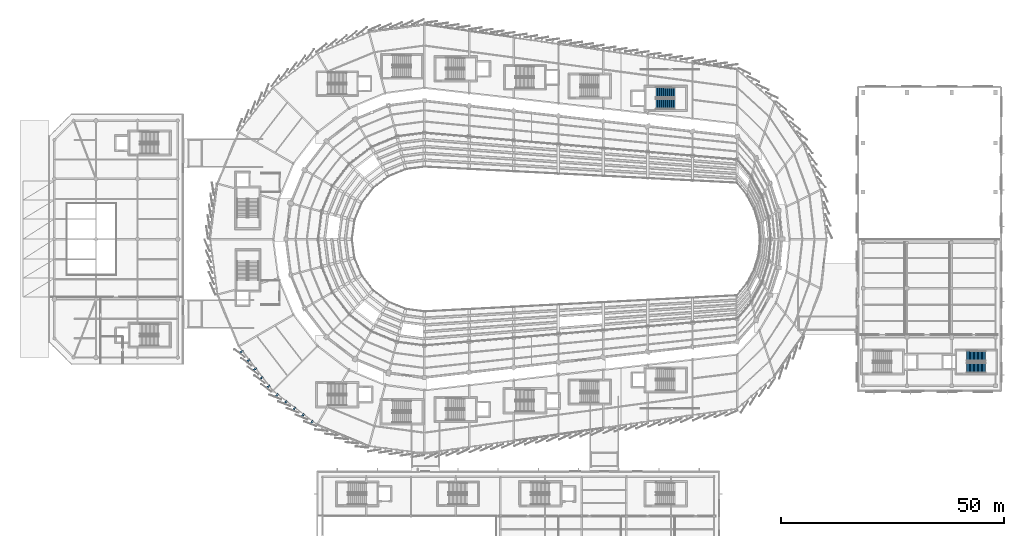
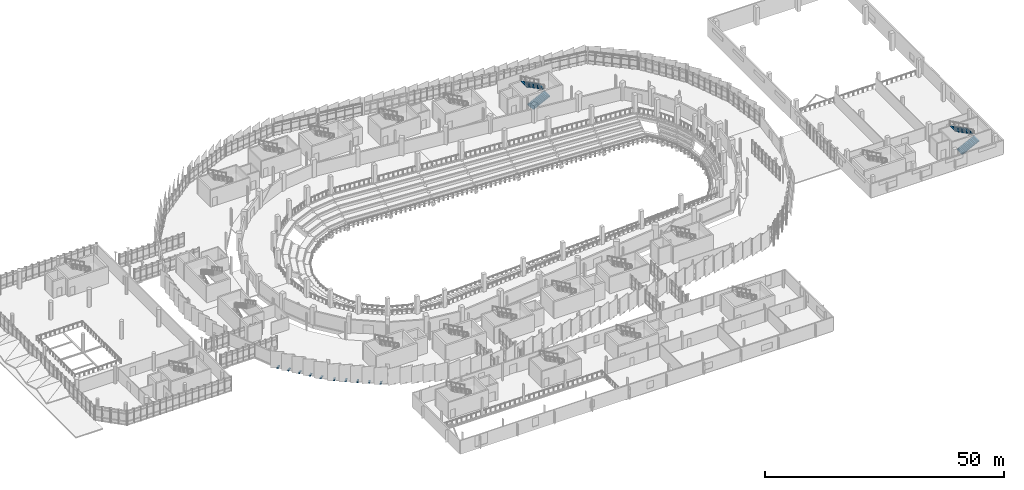
# One storey, part 119 of 134: 10 discrete accessories, 4 stair flights, 2 elements without a shape of their own.
"""IFC4 building model written with IfcOpenShell, lengths in metres."""

from ifc_helpers import new_model, si_unit, direction, frame, origin, origin_2d, place, context, subcontext, project, spatial, polyline, rectangle, outline, extrude, material, type_object, element, aggregate, save


model = new_model("IFC4")

# Units and contexts
model_context = context("Model", 3, precision=1e-05, world=origin(), true_north=direction((0.0, 1.0)))
body_context = subcontext(model_context, "Body", "Model", "MODEL_VIEW")
ifc_project = project(units=[si_unit("LENGTHUNIT", "METRE"), si_unit("AREAUNIT", "SQUARE_METRE"), si_unit("VOLUMEUNIT", "CUBIC_METRE"), si_unit("PLANEANGLEUNIT", "RADIAN"), si_unit("MASSUNIT", "GRAM", prefix="KILO")], contexts=[model_context])

# Site, building, storey
site_placement = place(None, origin())
site = spatial("IfcSite", under=ifc_project, at=site_placement, CompositionType="ELEMENT")
building_placement = place(site_placement, origin())
building = spatial("IfcBuilding", under=site, at=building_placement, Name="Sohan Crest Arena", CompositionType="ELEMENT")
storey_placement = place(building_placement, frame((0.0, 0.0, 4.5)))
storey = spatial("IfcBuildingStorey", under=building, at=storey_placement, Name="L01", CompositionType="ELEMENT", Elevation=4.5)

# Stair, stair flights
ifc_material_1 = material(Name="Concrete C40/50", Category="concrete")
stair_type_1 = type_object("IfcStairType", Name="ST-450W", PredefinedType="TWO_STRAIGHT_RUN_STAIR", material=ifc_material_1)
stair_1_placement = place(storey_placement, origin())
stair_1 = element("IfcStair", 1, at=stair_1_placement, inside=storey, type_object=stair_type_1, Name="Protected exit stair ST16-L01", PredefinedType="TWO_STRAIGHT_RUN_STAIR")
stair_flight_type_1 = type_object("IfcStairFlightType", Name="FL-220-15", PredefinedType="STRAIGHT", material=ifc_material_1)
stair_flight_1_placement = place(storey_placement, frame((219.35009765625, 49.14990234375, 0.0), z_axis=(0.0, 0.0, 1.0), x_axis=(1.0, 0.0, 0.0)))
stair_flight_1 = element("IfcStairFlight", 2, at=stair_flight_1_placement, type_object=stair_flight_type_1, Name="ST16-L01 flight 1", NumberOfRisers=15, NumberOfTreads=14, PredefinedType="STRAIGHT", RiserHeight=0.15, TreadLength=0.3, context=body_context, shape_type="SweptSolid", body=[
    extrude(outline(polyline([(0.0, 0.0), (0.0, 0.14990234375), (0.300048828125, 0.14990234375), (0.300048828125, 0.300048828125), (0.60009765625, 0.300048828125), (0.60009765625, 0.449951171875), (0.89990234375, 0.449951171875), (0.89990234375, 0.60009765625), (1.199951171875, 0.60009765625), (1.199951171875, 0.75), (1.5, 0.75), (1.5, 0.89990234375), (1.800048828125, 0.89990234375), (1.800048828125, 1.050048828125), (2.10009765625, 1.050048828125), (2.10009765625, 1.199951171875), (2.39990234375, 1.199951171875), (2.39990234375, 1.35009765625), (2.699951171875, 1.35009765625), (2.699951171875, 1.5), (3.0, 1.5), (3.0, 1.64990234375), (3.300048828125, 1.64990234375), (3.300048828125, 1.800048828125), (3.60009765625, 1.800048828125), (3.60009765625, 1.949951171875), (3.89990234375, 1.949951171875), (3.89990234375, 2.10009765625), (4.199951171875, 2.10009765625), (4.199951171875, 2.25), (4.199951171875, 1.932373046875), (0.335205078125, 0.0), (0.0, 0.0)])), frame((0.0, 1.10009765625, 0.0), z_axis=(0.0, -1.0, 0.0), x_axis=(1.0, 0.0, 0.0)), (0.0, 0.0, 1.0), 2.199951171875),
])
stair_flight_2_placement = place(storey_placement, frame((223.550048828125, 51.85009765625, 2.25), z_axis=(0.0, 0.0, 1.0), x_axis=(-1.0, 0.0, 0.0)))
stair_flight_2 = element("IfcStairFlight", 3, at=stair_flight_2_placement, type_object=stair_flight_type_1, Name="ST16-L01 flight 2", NumberOfRisers=15, NumberOfTreads=14, PredefinedType="STRAIGHT", RiserHeight=0.15, TreadLength=0.3, context=body_context, shape_type="SweptSolid", body=[
    extrude(outline(polyline([(0.0, 0.0), (0.0, 0.14990234375), (0.300048828125, 0.14990234375), (0.300048828125, 0.300048828125), (0.60009765625, 0.300048828125), (0.60009765625, 0.449951171875), (0.89990234375, 0.449951171875), (0.89990234375, 0.60009765625), (1.199951171875, 0.60009765625), (1.199951171875, 0.75), (1.5, 0.75), (1.5, 0.89990234375), (1.800048828125, 0.89990234375), (1.800048828125, 1.050048828125), (2.10009765625, 1.050048828125), (2.10009765625, 1.199951171875), (2.39990234375, 1.199951171875), (2.39990234375, 1.35009765625), (2.699951171875, 1.35009765625), (2.699951171875, 1.5), (3.0, 1.5), (3.0, 1.64990234375), (3.300048828125, 1.64990234375), (3.300048828125, 1.800048828125), (3.60009765625, 1.800048828125), (3.60009765625, 1.949951171875), (3.89990234375, 1.949951171875), (3.89990234375, 2.10009765625), (4.199951171875, 2.10009765625), (4.199951171875, 2.25), (4.199951171875, 1.932373046875), (0.335205078125, 0.0), (0.0, 0.0)])), frame((0.0, 1.10009765625, 0.0), z_axis=(0.0, -1.0, 0.0), x_axis=(1.0, 0.0, 0.0)), (0.0, 0.0, 1.0), 2.199951171875),
])
aggregate(stair_1, [stair_flight_1, stair_flight_2])

stair_type_2 = type_object("IfcStairType", Name="ST-450", PredefinedType="TWO_STRAIGHT_RUN_STAIR", material=ifc_material_1)
stair_2_placement = place(storey_placement, origin())
stair_2 = element("IfcStair", 4, at=stair_2_placement, inside=storey, type_object=stair_type_2, Name="Protected exit stair ST10-L01", PredefinedType="TWO_STRAIGHT_RUN_STAIR")
stair_flight_type_2 = type_object("IfcStairFlightType", Name="FL-260-15", PredefinedType="STRAIGHT", material=ifc_material_1)
stair_flight_3_placement = place(storey_placement, frame((149.85009765625, 108.199951171875, 0.0), z_axis=(0.0, 0.0, 1.0), x_axis=(1.0, 0.0, 0.0)))
stair_flight_3 = element("IfcStairFlight", 5, at=stair_flight_3_placement, type_object=stair_flight_type_2, Name="ST10-L01 flight 1", NumberOfRisers=15, NumberOfTreads=14, PredefinedType="STRAIGHT", RiserHeight=0.15, TreadLength=0.3, context=body_context, shape_type="SweptSolid", body=[
    extrude(outline(polyline([(0.0, 0.0), (0.0, 0.14990234375), (0.300048828125, 0.14990234375), (0.300048828125, 0.300048828125), (0.60009765625, 0.300048828125), (0.60009765625, 0.449951171875), (0.89990234375, 0.449951171875), (0.89990234375, 0.60009765625), (1.199951171875, 0.60009765625), (1.199951171875, 0.75), (1.5, 0.75), (1.5, 0.89990234375), (1.800048828125, 0.89990234375), (1.800048828125, 1.050048828125), (2.10009765625, 1.050048828125), (2.10009765625, 1.199951171875), (2.39990234375, 1.199951171875), (2.39990234375, 1.35009765625), (2.699951171875, 1.35009765625), (2.699951171875, 1.5), (3.0, 1.5), (3.0, 1.64990234375), (3.300048828125, 1.64990234375), (3.300048828125, 1.800048828125), (3.60009765625, 1.800048828125), (3.60009765625, 1.949951171875), (3.89990234375, 1.949951171875), (3.89990234375, 2.10009765625), (4.199951171875, 2.10009765625), (4.199951171875, 2.25), (4.199951171875, 1.932373046875), (0.335205078125, 0.0), (0.0, 0.0)])), frame((0.0, 1.14990234375, 0.0), z_axis=(0.0, -1.0, 0.0), x_axis=(1.0, 0.0, 0.0)), (0.0, 0.0, 1.0), 2.300048828125),
])
stair_flight_4_placement = place(storey_placement, frame((154.050048828125, 110.800048828125, 2.25), z_axis=(0.0, 0.0, 1.0), x_axis=(-1.0, 0.0, 0.0)))
stair_flight_4 = element("IfcStairFlight", 6, at=stair_flight_4_placement, type_object=stair_flight_type_2, Name="ST10-L01 flight 2", NumberOfRisers=15, NumberOfTreads=14, PredefinedType="STRAIGHT", RiserHeight=0.15, TreadLength=0.3, context=body_context, shape_type="SweptSolid", body=[
    extrude(outline(polyline([(0.0, 0.0), (0.0, 0.14990234375), (0.300048828125, 0.14990234375), (0.300048828125, 0.300048828125), (0.60009765625, 0.300048828125), (0.60009765625, 0.449951171875), (0.89990234375, 0.449951171875), (0.89990234375, 0.60009765625), (1.199951171875, 0.60009765625), (1.199951171875, 0.75), (1.5, 0.75), (1.5, 0.89990234375), (1.800048828125, 0.89990234375), (1.800048828125, 1.050048828125), (2.10009765625, 1.050048828125), (2.10009765625, 1.199951171875), (2.39990234375, 1.199951171875), (2.39990234375, 1.35009765625), (2.699951171875, 1.35009765625), (2.699951171875, 1.5), (3.0, 1.5), (3.0, 1.64990234375), (3.300048828125, 1.64990234375), (3.300048828125, 1.800048828125), (3.60009765625, 1.800048828125), (3.60009765625, 1.949951171875), (3.89990234375, 1.949951171875), (3.89990234375, 2.10009765625), (4.199951171875, 2.10009765625), (4.199951171875, 2.25), (4.199951171875, 1.932373046875), (0.335205078125, 0.0), (0.0, 0.0)])), frame((0.0, 1.14990234375, 0.0), z_axis=(0.0, -1.0, 0.0), x_axis=(1.0, 0.0, 0.0)), (0.0, 0.0, 1.0), 2.300048828125),
])
aggregate(stair_2, [stair_flight_3, stair_flight_4])

# Discrete accessories
ifc_material_2 = material(Name="Steel S355", Category="steel")
discrete_accessory_type = type_object("IfcDiscreteAccessoryType", Name="ARC-ACC-BRK1", PredefinedType="BRACKET", material=ifc_material_2)
for number, where, z_axis, x_axis, name in (
    (7, (57.0029296875, 52.72900390625, -0.22998046875), (0.0, 0.0, 1.0), (0.608761429009, -0.793353340291, 0.0), "Ceramic scale carrier bracket BRK-0031"),
    (8, (58.4970703125, 50.781982421875, -0.22998046875), (0.0, 0.0, 1.0), (0.608761429009, -0.793353340291, 0.0), "Ceramic scale carrier bracket BRK-0032"),
    (9, (59.990966796875, 48.8349609375, -0.22998046875), (0.0, 0.0, 1.0), (0.608761429009, -0.793353340291, 0.0), "Ceramic scale carrier bracket BRK-0033"),
    (10, (61.485107421875, 46.887939453125, -0.22998046875), (0.0, 0.0, 1.0), (0.608761429009, -0.793353340291, 0.0), "Ceramic scale carrier bracket BRK-0034"),
    (11, (62.97900390625, 44.94091796875, -0.22998046875), (0.0, 0.0, 1.0), (0.608761429009, -0.793353340291, 0.0), "Ceramic scale carrier bracket BRK-0035"),
    (12, (64.94091796875, 42.97900390625, -0.22998046875), (0.0, 0.0, 1.0), (0.793353340291, -0.608761429009, 0.0), "Ceramic scale carrier bracket BRK-0036"),
    (13, (66.887939453125, 41.485107421875, -0.22998046875), (0.0, 0.0, 1.0), (0.793353340291, -0.608761429009, 0.0), "Ceramic scale carrier bracket BRK-0037"),
    (14, (68.8349609375, 39.990966796875, -0.22998046875), (0.0, 0.0, 1.0), (0.793353340291, -0.608761429009, 0.0), "Ceramic scale carrier bracket BRK-0038"),
    (15, (70.781982421875, 38.4970703125, -0.22998046875), (0.0, 0.0, 1.0), (0.793353340291, -0.608761429009, 0.0), "Ceramic scale carrier bracket BRK-0039"),
    (16, (72.72900390625, 37.0029296875, -0.22998046875), (0.0, 0.0, 1.0), (0.793353340291, -0.608761429009, 0.0), "Ceramic scale carrier bracket BRK-0040"),
):
    element("IfcDiscreteAccessory", number, at=place(storey_placement, frame(where, z_axis=z_axis, x_axis=x_axis)), inside=storey, type_object=discrete_accessory_type, Name=name, PredefinedType="BRACKET", context=body_context, shape_type="SweptSolid", body=[
        extrude(rectangle(XDim=0.35009765625, YDim=0.9599609375, at=origin_2d()), origin(), (0.0, 0.0, 1.0), 0.219970703125),
    ])

save(model, "model.ifc")
